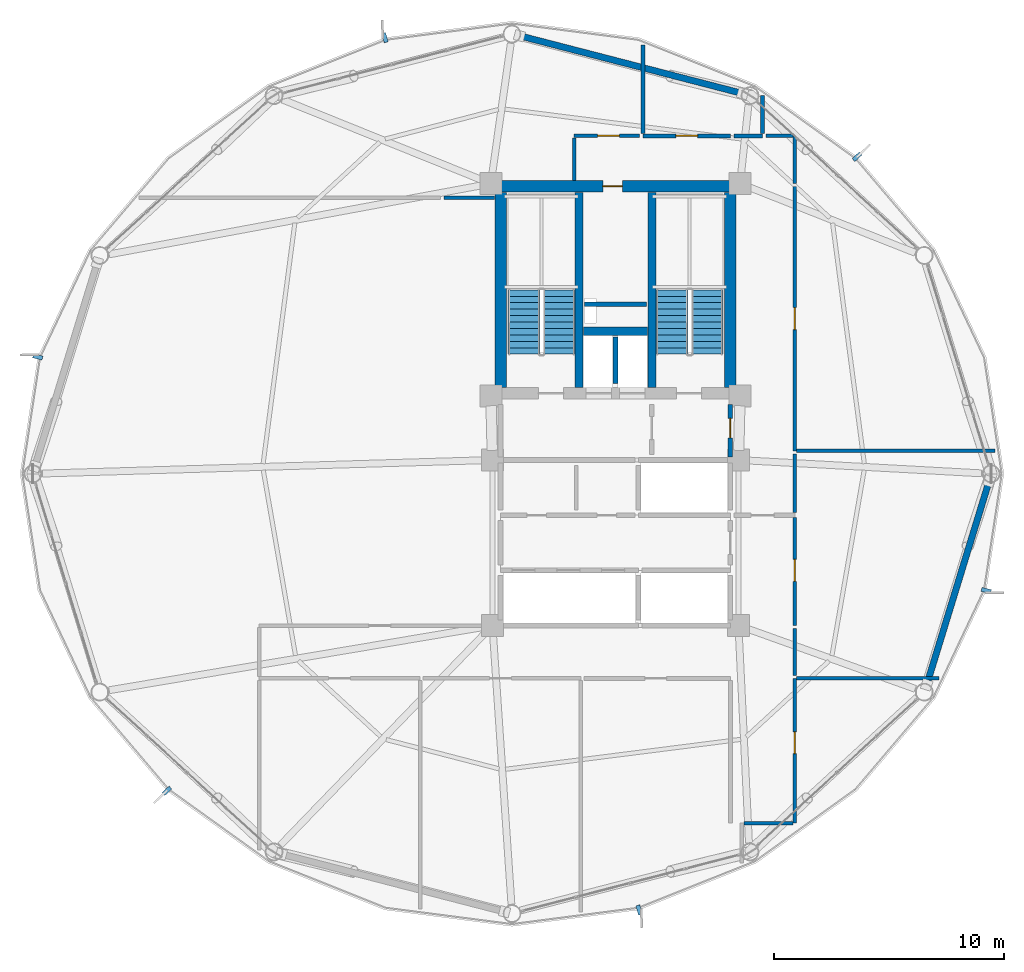
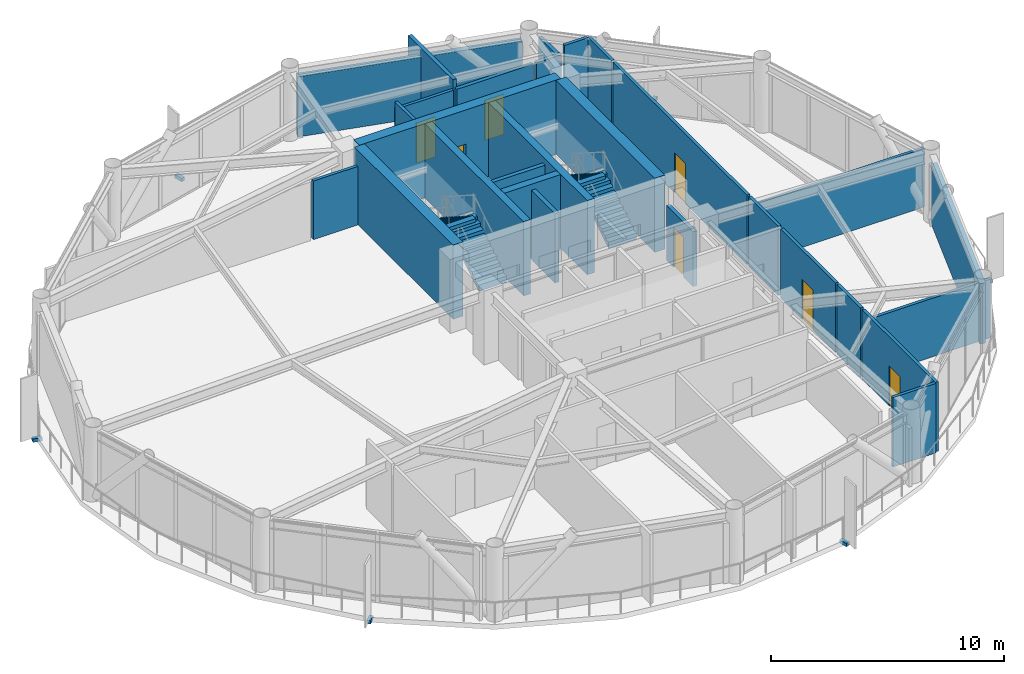
# One storey, part 22 of 25: 28 walls, 7 doors, 6 discrete accessories, 4 stair flights, 7 openings, 2 elements without a shape of their own.
"""IFC4 building model written with IfcOpenShell, lengths in metres."""

from ifc_helpers import new_model, si_unit, direction, frame, frame_2d, origin, origin_2d, place, context, subcontext, project, spatial, polyline, rectangle, outline, extrude, source, transform, mapped, material, layer, layer_set, type_object, type_shapes, element, fill, aggregate, save


model = new_model("IFC4")

# Units and contexts
model_context = context("Model", 3, precision=1e-05, world=origin(), true_north=direction((0.0, 1.0)))
body_context = subcontext(model_context, "Body", "Model", "MODEL_VIEW")
ifc_project = project(units=[si_unit("LENGTHUNIT", "METRE"), si_unit("AREAUNIT", "SQUARE_METRE"), si_unit("VOLUMEUNIT", "CUBIC_METRE"), si_unit("PLANEANGLEUNIT", "RADIAN"), si_unit("MASSUNIT", "GRAM", prefix="KILO")], contexts=[model_context])

# Site, building, storey
site_placement = place(None, origin())
site = spatial("IfcSite", under=ifc_project, at=site_placement, CompositionType="ELEMENT")
building_placement = place(site_placement, origin())
building = spatial("IfcBuilding", under=site, at=building_placement, Name="Varnakorn Sky Granary", CompositionType="ELEMENT")
storey_placement = place(building_placement, frame((0.0, 0.0, 146.10009765625)))
storey = spatial("IfcBuildingStorey", under=building, at=storey_placement, Name="L36", CompositionType="ELEMENT", Elevation=146.10009765625)

# Walls
ifc_material_1 = material(Name="Concrete C50/60", Category="concrete")
ifc_layer_1 = layer(ifc_material_1, 0.35009765625, Name="Concrete C50/60")
ifc_layer_set_1 = layer_set([ifc_layer_1], Name="Concrete C50/60")
wall_type_1 = type_object("IfcWallType", Name="WT-CW-INT-350", PredefinedType="SHEAR", material=ifc_layer_set_1)
for number, where, z_axis, x_axis, name in (
    (1, (1.419921875, 3.760009765625, 0.0), (0.0, 0.0, 1.0), (0.0, 1.0, 0.0), "Stair ST-1 Core Wall L36"),
    (2, (4.580078125, 3.760009765625, 0.0), (0.0, 0.0, 1.0), (0.0, 1.0, 0.0), "Stair ST-2 Core Wall L36"),
):
    element("IfcWall", number, at=place(storey_placement, frame(where, z_axis=z_axis, x_axis=x_axis)), inside=storey, type_object=wall_type_1, Name=name, PredefinedType="SHEAR", context=body_context, shape_type="SweptSolid", body=[
        extrude(rectangle(XDim=8.47998046875, YDim=0.35009765625, at=frame_2d((4.239990234375, 0.0))), origin(), (0.0, 0.0, 1.0), 3.891845703125),
    ])
wall_1_placement = place(storey_placement, frame((1.610107421875, 6.199951171875, 0.0), z_axis=(0.0, 0.0, 1.0), x_axis=(1.0, 0.0, 0.0)))
element("IfcWall", 3, at=wall_1_placement, inside=storey, type_object=wall_type_1, Name="Core Lift Shaft Cross Wall L36", PredefinedType="SHEAR", context=body_context, shape_type="SweptSolid", body=[
    extrude(rectangle(XDim=2.77978515625, YDim=0.35009765625, at=frame_2d((1.389892578125, 0.0))), origin(), (0.0, 0.0, 1.0), 3.891845703125),
])

# Wall, opening, door
ifc_material_2 = material(Name="Concrete C60/75", Category="concrete")
ifc_layer_2 = layer(ifc_material_2, 0.5, Name="Concrete C60/75")
ifc_layer_set_2 = layer_set([ifc_layer_2], Name="Concrete C60/75")
wall_type_2 = type_object("IfcWallType", Name="WT-CW-SHEAR-500", PredefinedType="SHEAR", material=ifc_layer_set_2)
wall_2_placement = place(storey_placement, frame((-2.0, 12.5, 0.0), z_axis=(0.0, 0.0, 1.0), x_axis=(1.0, 0.0, 0.0)))
wall_2 = element("IfcWall", 4, at=wall_2_placement, inside=storey, type_object=wall_type_2, Name="Core North Shear Wall L36", PredefinedType="SHEAR", context=body_context, shape_type="SweptSolid", body=[
    extrude(rectangle(XDim=10.0, YDim=0.5, at=frame_2d((5.0, 0.0))), origin(), (0.0, 0.0, 1.0), 3.891845703125),
])
opening_1_placement = place(wall_2_placement, frame((4.449951171875, 0.0, 0.0)))
opening_1 = element("IfcOpeningElement", 5, at=opening_1_placement, cuts=wall_2, Name="Opening FD-60N", PredefinedType="OPENING", context=body_context, shape_type="SweptSolid", body=[
    extrude(rectangle(XDim=0.85009765625, YDim=2.10009765625, at=frame_2d((0.425048828125, 1.050048828125))), frame((0.0, 0.260009765625, 0.0), z_axis=(0.0, -1.0, 0.0), x_axis=(1.0, 0.0, 0.0)), (0.0, 0.0, 1.0), 0.52001953125),
])
ifc_material_3 = material(Name="Acoustic Timber Fire Leaf", Category="wood")
door_type_1 = type_object("IfcDoorType", Name="DR-FD60-850", OperationType="NOTDEFINED", PredefinedType="DOOR", material=ifc_material_3)
door_1_placement = place(opening_1_placement, origin())
door_1 = element("IfcDoor", 6, at=door_1_placement, inside=storey, type_object=door_type_1, Name="Core North Service Door L36", OperationType="SINGLE_SWING_RIGHT", OverallHeight=2.10009765625, OverallWidth=0.85009765625, PredefinedType="DOOR", context=body_context, shape_type="SweptSolid", body=[
    extrude(rectangle(XDim=0.85009765625, YDim=2.10009765625, at=frame_2d((0.425048828125, 1.050048828125))), frame((0.0, 0.02490234375, 0.0), z_axis=(0.0, -1.0, 0.0), x_axis=(1.0, 0.0, 0.0)), (0.0, 0.0, 1.0), 0.050048828125),
])
fill(opening_1, door_1)

# Walls
for number, where, z_axis, x_axis, name in (
    (7, (-2.0, 3.760009765625, 0.0), (0.0, 0.0, 1.0), (0.0, 1.0, 0.0), "Core West Shear Wall L36"),
    (8, (8.0, 3.760009765625, 0.0), (0.0, 0.0, 1.0), (0.0, 1.0, 0.0), "Core East Shear Wall L36"),
):
    element("IfcWall", number, at=place(storey_placement, frame(where, z_axis=z_axis, x_axis=x_axis)), inside=storey, type_object=wall_type_2, Name=name, PredefinedType="SHEAR", context=body_context, shape_type="SweptSolid", body=[
        extrude(rectangle(XDim=8.47998046875, YDim=0.5, at=frame_2d((4.239990234375, 0.0))), origin(), (0.0, 0.0, 1.0), 3.891845703125),
    ])
ifc_material_4 = material(Name="Precast concrete C40/50", Category="concrete")
ifc_layer_3 = layer(ifc_material_4, 0.280029296875, Name="Precast concrete C40/50")
ifc_layer_set_3 = layer_set([ifc_layer_3], Name="Precast concrete C40/50")
wall_type_3 = type_object("IfcWallType", Name="WT-EW-CRN-280", PredefinedType="SOLIDWALL", material=ifc_layer_set_3)
wall_3_placement = place(storey_placement, frame((-1.1748046875, 19.0517578125, 0.0), z_axis=(0.0, 0.0, 1.0), x_axis=(0.968104156691, -0.250548082806, 0.0)))
element("IfcWall", 9, at=wall_3_placement, inside=storey, type_object=wall_type_3, Name="Agritech Insulated Precast Facade Wall L36-P03", PredefinedType="SOLIDWALL", context=body_context, shape_type="SweptSolid", body=[
    extrude(rectangle(XDim=10.02685546875, YDim=0.280029296875, at=frame_2d((5.013427734375, 0.0))), origin(), (0.0, 0.0, 1.0), 3.159912109375),
])
wall_4_placement = place(storey_placement, frame((19.251708984375, -0.3212890625, 0.0), z_axis=(0.0, 0.0, 1.0), x_axis=(-0.292913418438, -0.956138969658, 0.0)))
element("IfcWall", 10, at=wall_4_placement, inside=storey, type_object=wall_type_3, Name="Agritech Insulated Precast Facade Wall L36-P12", PredefinedType="SOLIDWALL", context=body_context, shape_type="SweptSolid", body=[
    extrude(rectangle(XDim=9.26416015625, YDim=0.280029296875, at=frame_2d((4.632080078125, 0.0))), origin(), (0.0, 0.0, 1.0), 3.159912109375),
])

# Wall, opening, door
ifc_material_5 = material(Name="Autoclaved Aerated Concrete Blockwork", Category="masonry")
ifc_layer_4 = layer(ifc_material_5, 0.199951171875, Name="Autoclaved Aerated Concrete Blockwork")
ifc_layer_set_4 = layer_set([ifc_layer_4], Name="Autoclaved Aerated Concrete Blockwork")
wall_type_4 = type_object("IfcWallType", Name="WT-FIRE-200", PredefinedType="MOVABLE", material=ifc_layer_set_4)
wall_5_placement = place(storey_placement, frame((8.0, 0.719970703125, 0.0), z_axis=(0.0, 0.0, 1.0), x_axis=(0.0, 1.0, 0.0)))
wall_5 = element("IfcWall", 11, at=wall_5_placement, inside=storey, type_object=wall_type_4, Name="Interior Partition Wall L36-015", PredefinedType="MOVABLE", context=body_context, shape_type="SweptSolid", body=[
    extrude(rectangle(XDim=2.300048828125, YDim=0.199951171875, at=frame_2d((1.14990234375, 0.0))), origin(), (0.0, 0.0, 1.0), 2.871826171875),
])
opening_2_placement = place(wall_5_placement, frame((0.844970703125, 0.0, 0.0)))
opening_2 = element("IfcOpeningElement", 12, at=opening_2_placement, cuts=wall_5, Name="Opening FD-60N", PredefinedType="OPENING", context=body_context, shape_type="SweptSolid", body=[
    extrude(rectangle(XDim=0.85009765625, YDim=2.10009765625, at=frame_2d((0.425048828125, 1.050048828125))), frame((0.0, 0.10986328125, 0.0), z_axis=(0.0, -1.0, 0.0), x_axis=(1.0, 0.0, 0.0)), (0.0, 0.0, 1.0), 0.219970703125),
])
door_2_placement = place(opening_2_placement, origin())
door_2 = element("IfcDoor", 13, at=door_2_placement, inside=storey, type_object=door_type_1, Name="Interior Door L36-015-1", OperationType="SINGLE_SWING_RIGHT", OverallHeight=2.10009765625, OverallWidth=0.85009765625, PredefinedType="DOOR", context=body_context, shape_type="SweptSolid", body=[
    extrude(rectangle(XDim=0.85009765625, YDim=2.10009765625, at=frame_2d((0.425048828125, 1.050048828125))), frame((0.0, 0.02490234375, 0.0), z_axis=(0.0, -1.0, 0.0), x_axis=(1.0, 0.0, 0.0)), (0.0, 0.0, 1.0), 0.050048828125),
])
fill(opening_2, door_2)

ifc_material_6 = material(Name="Gypsum Plasterboard on Steel Stud", Category="steel")
ifc_layer_5 = layer(ifc_material_6, 0.14990234375, Name="Gypsum Plasterboard on Steel Stud")
ifc_layer_set_5 = layer_set([ifc_layer_5], Name="Gypsum Plasterboard on Steel Stud")
wall_type_5 = type_object("IfcWallType", Name="WT-PART-150", PredefinedType="PARTITIONING", material=ifc_layer_set_5)
wall_6_placement = place(storey_placement, frame((10.800048828125, -15.199951171875, 0.0), z_axis=(0.0, 0.0, 1.0), x_axis=(0.0, 1.0, 0.0)))
wall_6 = element("IfcWall", 14, at=wall_6_placement, inside=storey, type_object=wall_type_5, Name="Interior Partition Wall L36-023", PredefinedType="PARTITIONING", context=body_context, shape_type="SweptSolid", body=[
    extrude(rectangle(XDim=6.300048828125, YDim=0.14990234375, at=frame_2d((3.14990234375, 0.0))), origin(), (0.0, 0.0, 1.0), 3.639892578125),
])
opening_3_placement = place(wall_6_placement, frame((3.02490234375, 0.0, 0.0)))
opening_3 = element("IfcOpeningElement", 15, at=opening_3_placement, cuts=wall_6, Name="Opening ID-95", PredefinedType="OPENING", context=body_context, shape_type="SweptSolid", body=[
    extrude(rectangle(XDim=0.949951171875, YDim=2.10009765625, at=frame_2d((0.47509765625, 1.050048828125))), frame((0.0, 0.0849609375, 0.0), z_axis=(0.0, -1.0, 0.0), x_axis=(1.0, 0.0, 0.0)), (0.0, 0.0, 1.0), 0.169921875),
])
ifc_material_7 = material(Name="Solid-Core Teak Veneer Leaf", Category="timber")
door_type_2 = type_object("IfcDoorType", Name="DR-INT-950", OperationType="NOTDEFINED", PredefinedType="DOOR", material=ifc_material_7)
door_3_placement = place(opening_3_placement, origin())
door_3 = element("IfcDoor", 16, at=door_3_placement, inside=storey, type_object=door_type_2, Name="Interior Door L36-023-1", OperationType="SINGLE_SWING_LEFT", OverallHeight=2.10009765625, OverallWidth=0.949951171875, PredefinedType="DOOR", context=body_context, shape_type="SweptSolid", body=[
    extrude(rectangle(XDim=0.949951171875, YDim=2.10009765625, at=frame_2d((0.47509765625, 1.050048828125))), frame((0.0, 0.02490234375, 0.0), z_axis=(0.0, -1.0, 0.0), x_axis=(1.0, 0.0, 0.0)), (0.0, 0.0, 1.0), 0.050048828125),
])
fill(opening_3, door_3)

wall_7_placement = place(storey_placement, frame((4.050048828125, 14.699951171875, 0.0), z_axis=(0.0, 0.0, 1.0), x_axis=(-1.0, 0.0, 0.0)))
wall_7 = element("IfcWall", 17, at=wall_7_placement, inside=storey, type_object=wall_type_5, Name="Interior Partition Wall L36-025", PredefinedType="PARTITIONING", context=body_context, shape_type="SweptSolid", body=[
    extrude(rectangle(XDim=2.85009765625, YDim=0.14990234375, at=frame_2d((1.425048828125, 0.0))), origin(), (0.0, 0.0, 1.0), 3.221923828125),
])
opening_4_placement = place(wall_7_placement, frame((0.875, 0.0, 0.0)))
opening_4 = element("IfcOpeningElement", 18, at=opening_4_placement, cuts=wall_7, Name="Opening ID-95", PredefinedType="OPENING", context=body_context, shape_type="SweptSolid", body=[
    extrude(rectangle(XDim=0.949951171875, YDim=2.10009765625, at=frame_2d((0.47509765625, 1.050048828125))), frame((0.0, 0.0849609375, 0.0), z_axis=(0.0, -1.0, 0.0), x_axis=(1.0, 0.0, 0.0)), (0.0, 0.0, 1.0), 0.169921875),
])
door_4_placement = place(opening_4_placement, origin())
door_4 = element("IfcDoor", 19, at=door_4_placement, inside=storey, type_object=door_type_2, Name="Interior Door L36-025-1", OperationType="SINGLE_SWING_LEFT", OverallHeight=2.10009765625, OverallWidth=0.949951171875, PredefinedType="DOOR", context=body_context, shape_type="SweptSolid", body=[
    extrude(rectangle(XDim=0.949951171875, YDim=2.10009765625, at=frame_2d((0.47509765625, 1.050048828125))), frame((0.0, 0.02490234375, 0.0), z_axis=(0.0, -1.0, 0.0), x_axis=(1.0, 0.0, 0.0)), (0.0, 0.0, 1.0), 0.050048828125),
])
fill(opening_4, door_4)

wall_8_placement = place(storey_placement, frame((10.800048828125, -6.60009765625, 0.0), z_axis=(0.0, 0.0, 1.0), x_axis=(0.0, 1.0, 0.0)))
wall_8 = element("IfcWall", 20, at=wall_8_placement, inside=storey, type_object=wall_type_5, Name="Interior Partition Wall L36-026", PredefinedType="PARTITIONING", context=body_context, shape_type="SweptSolid", body=[
    extrude(rectangle(XDim=4.690185546875, YDim=0.14990234375, at=frame_2d((2.34521484375, 0.0))), origin(), (0.0, 0.0, 1.0), 3.639892578125),
])
opening_5_placement = place(wall_8_placement, frame((1.925048828125, 0.0, 0.0)))
opening_5 = element("IfcOpeningElement", 21, at=opening_5_placement, cuts=wall_8, Name="Opening ID-95", PredefinedType="OPENING", context=body_context, shape_type="SweptSolid", body=[
    extrude(rectangle(XDim=0.949951171875, YDim=2.10009765625, at=frame_2d((0.47509765625, 1.050048828125))), frame((0.0, 0.0849609375, 0.0), z_axis=(0.0, -1.0, 0.0), x_axis=(1.0, 0.0, 0.0)), (0.0, 0.0, 1.0), 0.169921875),
])
door_5_placement = place(opening_5_placement, origin())
door_5 = element("IfcDoor", 22, at=door_5_placement, inside=storey, type_object=door_type_2, Name="Interior Door L36-026-1", OperationType="SINGLE_SWING_RIGHT", OverallHeight=2.10009765625, OverallWidth=0.949951171875, PredefinedType="DOOR", context=body_context, shape_type="SweptSolid", body=[
    extrude(rectangle(XDim=0.949951171875, YDim=2.10009765625, at=frame_2d((0.47509765625, 1.050048828125))), frame((0.0, 0.02490234375, 0.0), z_axis=(0.0, -1.0, 0.0), x_axis=(1.0, 0.0, 0.0)), (0.0, 0.0, 1.0), 0.050048828125),
])
fill(opening_5, door_5)

wall_9_placement = place(storey_placement, frame((10.800048828125, 1.0, 0.0), z_axis=(0.0, 0.0, 1.0), x_axis=(0.0, 1.0, 0.0)))
wall_9 = element("IfcWall", 23, at=wall_9_placement, inside=storey, type_object=wall_type_5, Name="Interior Partition Wall L36-027", PredefinedType="PARTITIONING", context=body_context, shape_type="SweptSolid", body=[
    extrude(rectangle(XDim=11.5, YDim=0.14990234375, at=frame_2d((5.75, 0.0))), origin(), (0.0, 0.0, 1.0), 3.639892578125),
])
opening_6_placement = place(wall_9_placement, frame((5.27490234375, 0.0, 0.0)))
opening_6 = element("IfcOpeningElement", 24, at=opening_6_placement, cuts=wall_9, Name="Opening ID-95", PredefinedType="OPENING", context=body_context, shape_type="SweptSolid", body=[
    extrude(rectangle(XDim=0.949951171875, YDim=2.10009765625, at=frame_2d((0.47509765625, 1.050048828125))), frame((0.0, 0.0849609375, 0.0), z_axis=(0.0, -1.0, 0.0), x_axis=(1.0, 0.0, 0.0)), (0.0, 0.0, 1.0), 0.169921875),
])
door_6_placement = place(opening_6_placement, origin())
door_6 = element("IfcDoor", 25, at=door_6_placement, inside=storey, type_object=door_type_2, Name="Interior Door L36-027-1", OperationType="SINGLE_SWING_LEFT", OverallHeight=2.10009765625, OverallWidth=0.949951171875, PredefinedType="DOOR", context=body_context, shape_type="SweptSolid", body=[
    extrude(rectangle(XDim=0.949951171875, YDim=2.10009765625, at=frame_2d((0.47509765625, 1.050048828125))), frame((0.0, 0.02490234375, 0.0), z_axis=(0.0, -1.0, 0.0), x_axis=(1.0, 0.0, 0.0)), (0.0, 0.0, 1.0), 0.050048828125),
])
fill(opening_6, door_6)

# Walls
wall_10_placement = place(storey_placement, frame((8.5849609375, -15.199951171875, 0.0), z_axis=(0.0, 0.0, 1.0), x_axis=(1.0, 0.0, 0.0)))
element("IfcWall", 26, at=wall_10_placement, inside=storey, type_object=wall_type_5, Name="Interior Partition Wall L36-039", PredefinedType="PARTITIONING", context=body_context, shape_type="SweptSolid", body=[
    extrude(rectangle(XDim=2.130126953125, YDim=0.14990234375, at=frame_2d((1.06494140625, 0.0))), origin(), (0.0, 0.0, 1.0), 3.639892578125),
])
wall_11_placement = place(storey_placement, frame((10.885009765625, -8.89990234375, 0.0), z_axis=(0.0, 0.0, 1.0), x_axis=(1.0, 0.0, 0.0)))
element("IfcWall", 27, at=wall_11_placement, inside=storey, type_object=wall_type_5, Name="Interior Partition Wall L36-040", PredefinedType="PARTITIONING", context=body_context, shape_type="SweptSolid", body=[
    extrude(rectangle(XDim=6.179931640625, YDim=0.14990234375, at=frame_2d((3.08984375, 0.0))), origin(), (0.0, 0.0, 1.0), 3.072021484375),
])
wall_12_placement = place(storey_placement, frame((-4.465087890625, 12.0, 0.0), z_axis=(0.0, 0.0, 1.0), x_axis=(1.0, 0.0, 0.0)))
element("IfcWall", 28, at=wall_12_placement, inside=storey, type_object=wall_type_5, Name="Interior Partition Wall L36-043", PredefinedType="PARTITIONING", context=body_context, shape_type="SweptSolid", body=[
    extrude(rectangle(XDim=2.205078125, YDim=0.14990234375, at=frame_2d((1.1025390625, 0.0))), origin(), (0.0, 0.0, 1.0), 3.072021484375),
])
wall_13_placement = place(storey_placement, frame((1.199951171875, 14.614990234375, 0.0), z_axis=(0.0, 0.0, 1.0), x_axis=(0.0, -1.0, 0.0)))
element("IfcWall", 29, at=wall_13_placement, inside=storey, type_object=wall_type_5, Name="Interior Partition Wall L36-044", PredefinedType="PARTITIONING", context=body_context, shape_type="SweptSolid", body=[
    extrude(rectangle(XDim=1.85498046875, YDim=0.14990234375, at=frame_2d((0.927490234375, 0.0))), origin(), (0.0, 0.0, 1.0), 3.639892578125),
])
wall_14_placement = place(storey_placement, frame((10.800048828125, -8.764892578125, 0.0), z_axis=(0.0, 0.0, 1.0), x_axis=(0.0, 1.0, 0.0)))
element("IfcWall", 30, at=wall_14_placement, inside=storey, type_object=wall_type_5, Name="Interior Partition Wall L36-046", PredefinedType="PARTITIONING", context=body_context, shape_type="SweptSolid", body=[
    extrude(rectangle(XDim=2.02978515625, YDim=0.14990234375, at=frame_2d((1.014892578125, 0.0))), origin(), (0.0, 0.0, 1.0), 3.639892578125),
])
wall_15_placement = place(storey_placement, frame((10.800048828125, -1.68994140625, 0.0), z_axis=(0.0, 0.0, 1.0), x_axis=(0.0, 1.0, 0.0)))
element("IfcWall", 31, at=wall_15_placement, inside=storey, type_object=wall_type_5, Name="Interior Partition Wall L36-047", PredefinedType="PARTITIONING", context=body_context, shape_type="SweptSolid", body=[
    extrude(rectangle(XDim=2.554931640625, YDim=0.14990234375, at=frame_2d((1.27734375, 0.0))), origin(), (0.0, 0.0, 1.0), 3.639892578125),
])
wall_16_placement = place(storey_placement, frame((10.885009765625, 1.0, 0.0), z_axis=(0.0, 0.0, 1.0), x_axis=(1.0, 0.0, 0.0)))
element("IfcWall", 32, at=wall_16_placement, inside=storey, type_object=wall_type_5, Name="Interior Partition Wall L36-048", PredefinedType="PARTITIONING", context=body_context, shape_type="SweptSolid", body=[
    extrude(rectangle(XDim=8.623046875, YDim=0.14990234375, at=frame_2d((4.3115234375, 0.0))), origin(), (0.0, 0.0, 1.0), 3.072021484375),
])
wall_17_placement = place(storey_placement, frame((10.800048828125, 12.635009765625, 0.0), z_axis=(0.0, 0.0, 1.0), x_axis=(0.0, 1.0, 0.0)))
element("IfcWall", 33, at=wall_17_placement, inside=storey, type_object=wall_type_5, Name="Interior Partition Wall L36-049", PredefinedType="PARTITIONING", context=body_context, shape_type="SweptSolid", body=[
    extrude(rectangle(XDim=2.06494140625, YDim=0.14990234375, at=frame_2d((1.032470703125, 0.0))), origin(), (0.0, 0.0, 1.0), 3.639892578125),
])
wall_18_placement = place(storey_placement, frame((10.715087890625, 14.699951171875, 0.0), z_axis=(0.0, 0.0, 1.0), x_axis=(-1.0, 0.0, 0.0)))
element("IfcWall", 34, at=wall_18_placement, inside=storey, type_object=wall_type_5, Name="Interior Partition Wall L36-050", PredefinedType="PARTITIONING", context=body_context, shape_type="SweptSolid", body=[
    extrude(rectangle(XDim=1.1650390625, YDim=0.14990234375, at=frame_2d((0.58251953125, 0.0))), origin(), (0.0, 0.0, 1.0), 3.639892578125),
])

# Wall, opening, door
ifc_material_8 = material(Name="Moisture-Resistant Gypsum on Stud", Category="gypsum")
ifc_layer_6 = layer(ifc_material_8, 0.179931640625, Name="Moisture-Resistant Gypsum on Stud")
ifc_layer_set_6 = layer_set([ifc_layer_6], Name="Moisture-Resistant Gypsum on Stud")
wall_type_6 = type_object("IfcWallType", Name="WT-PLUMB-180", PredefinedType="PLUMBINGWALL", material=ifc_layer_set_6)
wall_19_placement = place(storey_placement, frame((8.0, 14.699951171875, 0.0), z_axis=(0.0, 0.0, 1.0), x_axis=(-1.0, 0.0, 0.0)))
wall_19 = element("IfcWall", 35, at=wall_19_placement, inside=storey, type_object=wall_type_6, Name="Interior Partition Wall L36-019", PredefinedType="PLUMBINGWALL", context=body_context, shape_type="SweptSolid", body=[
    extrude(rectangle(XDim=3.800048828125, YDim=0.179931640625, at=frame_2d((1.89990234375, 0.0))), origin(), (0.0, 0.0, 1.0), 3.221923828125),
])
opening_7_placement = place(wall_19_placement, frame((1.425048828125, 0.0, 0.0)))
opening_7 = element("IfcOpeningElement", 36, at=opening_7_placement, cuts=wall_19, Name="Opening ID-95", PredefinedType="OPENING", context=body_context, shape_type="SweptSolid", body=[
    extrude(rectangle(XDim=0.949951171875, YDim=2.10009765625, at=frame_2d((0.47509765625, 1.050048828125))), frame((0.0, 0.10009765625, 0.0), z_axis=(0.0, -1.0, 0.0), x_axis=(1.0, 0.0, 0.0)), (0.0, 0.0, 1.0), 0.199951171875),
])
door_7_placement = place(opening_7_placement, origin())
door_7 = element("IfcDoor", 37, at=door_7_placement, inside=storey, type_object=door_type_2, Name="Interior Door L36-019-1", OperationType="SINGLE_SWING_LEFT", OverallHeight=2.10009765625, OverallWidth=0.949951171875, PredefinedType="DOOR", context=body_context, shape_type="SweptSolid", body=[
    extrude(rectangle(XDim=0.949951171875, YDim=2.10009765625, at=frame_2d((0.47509765625, 1.050048828125))), frame((0.0, 0.02490234375, 0.0), z_axis=(0.0, -1.0, 0.0), x_axis=(1.0, 0.0, 0.0)), (0.0, 0.0, 1.0), 0.050048828125),
])
fill(opening_7, door_7)

# Walls
wall_20_placement = place(storey_placement, frame((9.39990234375, 14.699951171875, 0.0), z_axis=(0.0, 0.0, 1.0), x_axis=(-1.0, 0.0, 0.0)))
element("IfcWall", 38, at=wall_20_placement, inside=storey, type_object=wall_type_6, Name="Interior Partition Wall L36-033", PredefinedType="PLUMBINGWALL", context=body_context, shape_type="SweptSolid", body=[
    extrude(rectangle(XDim=1.25, YDim=0.179931640625, at=frame_2d((0.625, 0.0))), origin(), (0.0, 0.0, 1.0), 3.221923828125),
])
wall_21_placement = place(storey_placement, frame((4.199951171875, 18.64599609375, 0.0), z_axis=(0.0, 0.0, 1.0), x_axis=(0.0, -1.0, 0.0)))
element("IfcWall", 39, at=wall_21_placement, inside=storey, type_object=wall_type_6, Name="Interior Partition Wall L36-045", PredefinedType="PLUMBINGWALL", context=body_context, shape_type="SweptSolid", body=[
    extrude(rectangle(XDim=3.845947265625, YDim=0.179931640625, at=frame_2d((1.9228515625, 0.0))), origin(), (0.0, 0.0, 1.0), 3.639892578125),
])
wall_22_placement = place(storey_placement, frame((9.39990234375, 14.800048828125, 0.0), z_axis=(0.0, 0.0, 1.0), x_axis=(0.0, 1.0, 0.0)))
element("IfcWall", 40, at=wall_22_placement, inside=storey, type_object=wall_type_6, Name="Interior Partition Wall L36-051", PredefinedType="PLUMBINGWALL", context=body_context, shape_type="SweptSolid", body=[
    extrude(rectangle(XDim=1.64599609375, YDim=0.179931640625, at=frame_2d((0.822998046875, 0.0))), origin(), (0.0, 0.0, 1.0), 3.072021484375),
])
ifc_layer_7 = layer(ifc_material_5, 0.199951171875, Name="Autoclaved Aerated Concrete Blockwork")
ifc_layer_set_7 = layer_set([ifc_layer_7], Name="Autoclaved Aerated Concrete Blockwork")
wall_type_7 = type_object("IfcWallType", Name="WT-SHAFT-200", PredefinedType="SOLIDWALL", material=ifc_layer_set_7)
wall_23_placement = place(storey_placement, frame((3.0, 3.919921875, 0.0), z_axis=(0.0, 0.0, 1.0), x_axis=(0.0, 1.0, 0.0)))
element("IfcWall", 41, at=wall_23_placement, inside=storey, type_object=wall_type_7, Name="Interior Partition Wall L36-001", PredefinedType="SOLIDWALL", context=body_context, shape_type="SweptSolid", body=[
    extrude(rectangle(XDim=2.030029296875, YDim=0.199951171875, at=frame_2d((1.01513671875, 0.0))), origin(), (0.0, 0.0, 1.0), 3.639892578125),
])
wall_24_placement = place(storey_placement, frame((1.64990234375, 7.3798828125, 0.0), z_axis=(0.0, 0.0, 1.0), x_axis=(1.0, 0.0, 0.0)))
element("IfcWall", 42, at=wall_24_placement, inside=storey, type_object=wall_type_7, Name="Interior Partition Wall L36-002", PredefinedType="SOLIDWALL", context=body_context, shape_type="SweptSolid", body=[
    extrude(rectangle(XDim=2.7001953125, YDim=0.199951171875, at=frame_2d((1.35009765625, 0.0))), origin(), (0.0, 0.0, 1.0), 3.639892578125),
])

# Stair, stair flights
ifc_material_9 = material(Name="Concrete C40/50", Category="concrete")
stair_type = type_object("IfcStairType", Name="ST-MAIN-ASSEMBLY", PredefinedType="HALF_TURN_STAIR", material=ifc_material_9)
stair_1_placement = place(storey_placement, origin())
stair_1 = element("IfcStair", 43, at=stair_1_placement, inside=storey, type_object=stair_type, Name="L36 Protected Exit Stair ST-1", PredefinedType="HALF_TURN_STAIR")
stair_flight_type = type_object("IfcStairFlightType", Name="ST-MAIN-FLIGHT", PredefinedType="STRAIGHT", material=ifc_material_9)
stair_flight_1_placement = place(storey_placement, frame((0.550048828125, 5.199951171875, 0.0), z_axis=(0.0, 0.0, 1.0), x_axis=(0.0, 1.0, 0.0)))
stair_flight_1 = element("IfcStairFlight", 44, at=stair_flight_1_placement, type_object=stair_flight_type, Name="ST-1 flight 1", NumberOfRisers=11, NumberOfTreads=10, PredefinedType="STRAIGHT", RiserHeight=0.177272727, TreadLength=0.28, context=body_context, shape_type="SweptSolid", body=[
    extrude(outline(polyline([(0.0, -0.14990234375), (0.0, 0.0), (0.0, 0.17724609375), (0.280029296875, 0.17724609375), (0.280029296875, 0.3544921875), (0.56005859375, 0.3544921875), (0.56005859375, 0.53173828125), (0.840087890625, 0.53173828125), (0.840087890625, 0.708984375), (1.1201171875, 0.708984375), (1.1201171875, 0.886474609375), (1.39990234375, 0.886474609375), (1.39990234375, 1.063720703125), (1.679931640625, 1.063720703125), (1.679931640625, 1.240966796875), (1.9599609375, 1.240966796875), (1.9599609375, 1.418212890625), (2.239990234375, 1.418212890625), (2.239990234375, 1.595458984375), (2.52001953125, 1.595458984375), (2.52001953125, 1.772705078125), (2.800048828125, 1.772705078125), (2.800048828125, 1.949951171875), (2.800048828125, 1.59521484375), (0.050048828125, -0.14990234375), (0.0, -0.14990234375)])), frame((0.0, 0.68994140625, 0.0), z_axis=(0.0, -1.0, 0.0), x_axis=(1.0, 0.0, 0.0)), (0.0, 0.0, 1.0), 1.3798828125),
])
stair_flight_2_placement = place(storey_placement, frame((-0.97998046875, 8.0, 1.949951171875), z_axis=(0.0, 0.0, 1.0), x_axis=(0.0, -1.0, 0.0)))
stair_flight_2 = element("IfcStairFlight", 45, at=stair_flight_2_placement, type_object=stair_flight_type, Name="ST-1 flight 2", NumberOfRisers=11, NumberOfTreads=10, PredefinedType="STRAIGHT", RiserHeight=0.177272727, TreadLength=0.28, context=body_context, shape_type="SweptSolid", body=[
    extrude(outline(polyline([(0.0, -0.14990234375), (0.0, 0.0), (0.0, 0.17724609375), (0.280029296875, 0.17724609375), (0.280029296875, 0.3544921875), (0.56005859375, 0.3544921875), (0.56005859375, 0.53173828125), (0.840087890625, 0.53173828125), (0.840087890625, 0.708984375), (1.1201171875, 0.708984375), (1.1201171875, 0.886474609375), (1.39990234375, 0.886474609375), (1.39990234375, 1.063720703125), (1.679931640625, 1.063720703125), (1.679931640625, 1.240966796875), (1.9599609375, 1.240966796875), (1.9599609375, 1.418212890625), (2.239990234375, 1.418212890625), (2.239990234375, 1.595458984375), (2.52001953125, 1.595458984375), (2.52001953125, 1.772705078125), (2.800048828125, 1.772705078125), (2.800048828125, 1.949951171875), (2.800048828125, 1.59521484375), (0.050048828125, -0.14990234375), (0.0, -0.14990234375)])), frame((0.0, 0.68994140625, 0.0), z_axis=(0.0, -1.0, 0.0), x_axis=(1.0, 0.0, 0.0)), (0.0, 0.0, 1.0), 1.3798828125),
])
aggregate(stair_1, [stair_flight_1, stair_flight_2])

stair_2_placement = place(storey_placement, origin())
stair_2 = element("IfcStair", 46, at=stair_2_placement, inside=storey, type_object=stair_type, Name="L36 Protected Exit Stair ST-2", PredefinedType="HALF_TURN_STAIR")
stair_flight_3_placement = place(storey_placement, frame((6.989990234375, 5.199951171875, 0.0), z_axis=(0.0, 0.0, 1.0), x_axis=(0.0, 1.0, 0.0)))
stair_flight_3 = element("IfcStairFlight", 47, at=stair_flight_3_placement, type_object=stair_flight_type, Name="ST-2 flight 1", NumberOfRisers=11, NumberOfTreads=10, PredefinedType="STRAIGHT", RiserHeight=0.177272727, TreadLength=0.28, context=body_context, shape_type="SweptSolid", body=[
    extrude(outline(polyline([(0.0, -0.14990234375), (0.0, 0.0), (0.0, 0.17724609375), (0.280029296875, 0.17724609375), (0.280029296875, 0.3544921875), (0.56005859375, 0.3544921875), (0.56005859375, 0.53173828125), (0.840087890625, 0.53173828125), (0.840087890625, 0.708984375), (1.1201171875, 0.708984375), (1.1201171875, 0.886474609375), (1.39990234375, 0.886474609375), (1.39990234375, 1.063720703125), (1.679931640625, 1.063720703125), (1.679931640625, 1.240966796875), (1.9599609375, 1.240966796875), (1.9599609375, 1.418212890625), (2.239990234375, 1.418212890625), (2.239990234375, 1.595458984375), (2.52001953125, 1.595458984375), (2.52001953125, 1.772705078125), (2.800048828125, 1.772705078125), (2.800048828125, 1.949951171875), (2.800048828125, 1.59521484375), (0.050048828125, -0.14990234375), (0.0, -0.14990234375)])), frame((0.0, 0.68994140625, 0.0), z_axis=(0.0, -1.0, 0.0), x_axis=(1.0, 0.0, 0.0)), (0.0, 0.0, 1.0), 1.3798828125),
])
stair_flight_4_placement = place(storey_placement, frame((5.4599609375, 8.0, 1.949951171875), z_axis=(0.0, 0.0, 1.0), x_axis=(0.0, -1.0, 0.0)))
stair_flight_4 = element("IfcStairFlight", 48, at=stair_flight_4_placement, type_object=stair_flight_type, Name="ST-2 flight 2", NumberOfRisers=11, NumberOfTreads=10, PredefinedType="STRAIGHT", RiserHeight=0.177272727, TreadLength=0.28, context=body_context, shape_type="SweptSolid", body=[
    extrude(outline(polyline([(0.0, -0.14990234375), (0.0, 0.0), (0.0, 0.17724609375), (0.280029296875, 0.17724609375), (0.280029296875, 0.3544921875), (0.56005859375, 0.3544921875), (0.56005859375, 0.53173828125), (0.840087890625, 0.53173828125), (0.840087890625, 0.708984375), (1.1201171875, 0.708984375), (1.1201171875, 0.886474609375), (1.39990234375, 0.886474609375), (1.39990234375, 1.063720703125), (1.679931640625, 1.063720703125), (1.679931640625, 1.240966796875), (1.9599609375, 1.240966796875), (1.9599609375, 1.418212890625), (2.239990234375, 1.418212890625), (2.239990234375, 1.595458984375), (2.52001953125, 1.595458984375), (2.52001953125, 1.772705078125), (2.800048828125, 1.772705078125), (2.800048828125, 1.949951171875), (2.800048828125, 1.59521484375), (0.050048828125, -0.14990234375), (0.0, -0.14990234375)])), frame((0.0, 0.68994140625, 0.0), z_axis=(0.0, -1.0, 0.0), x_axis=(1.0, 0.0, 0.0)), (0.0, 0.0, 1.0), 1.3798828125),
])
aggregate(stair_2, [stair_flight_3, stair_flight_4])

# Discrete accessories
ifc_material_10 = material(Name="Steel S355JR", Category="steel")
discrete_accessory_type = type_object("IfcDiscreteAccessoryType", Name="AC-BRK-01", PredefinedType="BRACKET", material=ifc_material_10)
shared_shape = source(origin(), body_context, "Body", "SweptSolid", [
    extrude(rectangle(XDim=0.179931640625, YDim=0.419921875, at=origin_2d()), origin(), (0.0, 0.0, 1.0), 0.179931640625),
])
type_shapes(discrete_accessory_type, [shared_shape])
for number, where, z_axis, x_axis, name in (
    (49, (13.50830078125, 13.789306640625, -0.2001953125), (0.0, 0.0, 1.0), (-0.676564535849, 0.736383343668, 0.0), "Facade Solar-Screen Outrigger Bracket L36-02"),
    (50, (-7.029541015625, 18.970947265625, -0.2001953125), (0.0, 0.0, 1.0), (-0.960049368872, -0.279830679748, 0.0), "Facade Solar-Screen Outrigger Bracket L36-04"),
    (51, (-22.1279296875, 5.0810546875, -0.2001953125), (0.0, 0.0, 1.0), (-0.239172584956, -0.970977072132, 0.0), "Facade Solar-Screen Outrigger Bracket L36-06"),
    (52, (-16.50830078125, -13.789306640625, -0.2001953125), (0.0, 0.0, 1.0), (0.676564535849, -0.736383343668, 0.0), "Facade Solar-Screen Outrigger Bracket L36-08"),
    (53, (4.029541015625, -18.970947265625, -0.2001953125), (0.0, 0.0, 1.0), (0.960049368872, 0.279830679748, 0.0), "Facade Solar-Screen Outrigger Bracket L36-10"),
    (54, (19.1279296875, -5.0810546875, -0.2001953125), (0.0, 0.0, 1.0), (0.239172584956, 0.970977072132, 0.0), "Facade Solar-Screen Outrigger Bracket L36-12"),
):
    element("IfcDiscreteAccessory", number, at=place(storey_placement, frame(where, z_axis=z_axis, x_axis=x_axis)), inside=storey, type_object=discrete_accessory_type, Name=name, PredefinedType="BRACKET", context=body_context, shape_type="MappedRepresentation", body=[
        mapped(shared_shape, transform((0.0, 0.0, 0.0), x_axis=(1.0, 0.0, 0.0), y_axis=(0.0, 1.0, 0.0), z_axis=(0.0, 0.0, 1.0), scale=1.0)),
    ])

save(model, "model.ifc")
